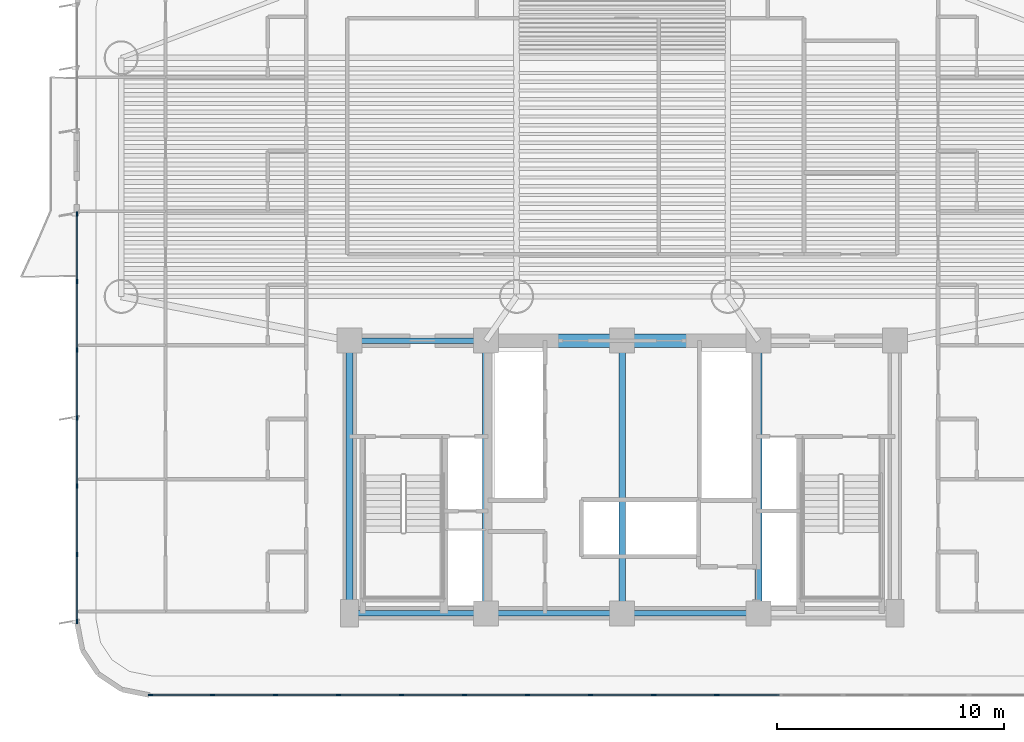
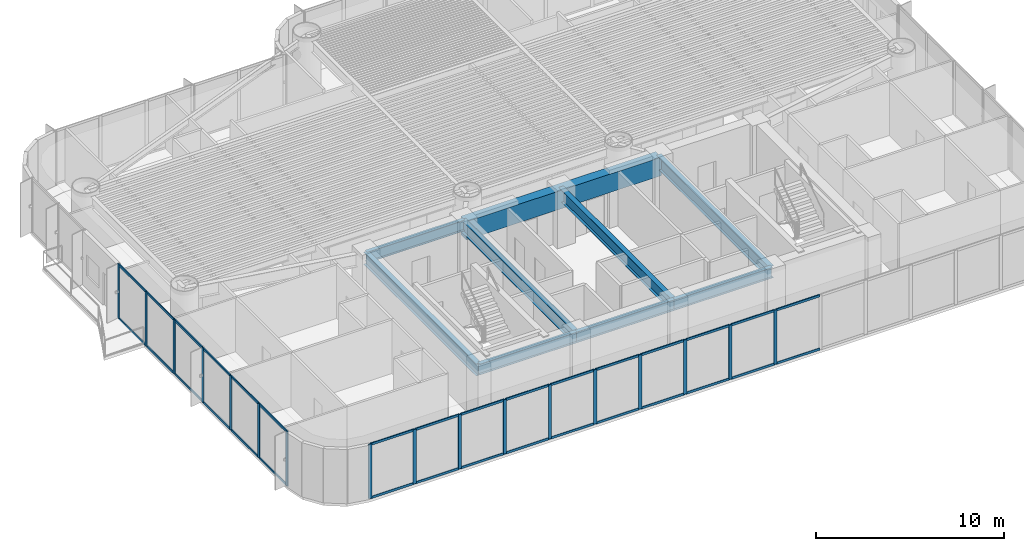
# One storey, part 2 of 18: 49 members, 9 beams, 2 elements without a shape of their own.
"""IFC4 building model written with IfcOpenShell, lengths in metres."""

from ifc_helpers import new_model, si_unit, direction, frame, origin, origin_2d, place, context, subcontext, project, spatial, rectangle, i_section, extrude, source, transform, mapped, material, layer, layer_set, material_profile, profile_set, type_object, element, aggregate, save


model = new_model("IFC4")

# Units and contexts
model_context = context("Model", 3, precision=1e-05, world=origin(), true_north=direction((0.0, 1.0)))
body_context = subcontext(model_context, "Body", "Model", "MODEL_VIEW")
ifc_project = project(units=[si_unit("LENGTHUNIT", "METRE"), si_unit("AREAUNIT", "SQUARE_METRE"), si_unit("VOLUMEUNIT", "CUBIC_METRE"), si_unit("PLANEANGLEUNIT", "RADIAN"), si_unit("MASSUNIT", "GRAM", prefix="KILO")], contexts=[model_context])

# Site, building, storey
site_placement = place(None, origin())
site = spatial("IfcSite", under=ifc_project, at=site_placement, CompositionType="ELEMENT")
building_placement = place(site_placement, origin())
building = spatial("IfcBuilding", under=site, at=building_placement, Name="Brelvock Crest Care Tower", CompositionType="ELEMENT")
storey_placement = place(building_placement, frame((0.0, 0.0, 38.340087890625)))
storey = spatial("IfcBuildingStorey", under=building, at=storey_placement, Name="L09", CompositionType="ELEMENT", Elevation=38.340087890625)

# Beams
ifc_material_1 = material(Name="Concrete S80 (80 MPa)", Category="concrete")
ifc_material_profile_1 = material_profile(ifc_material_1, rectangle(XDim=0.60009765625, YDim=1.199951171875, at=origin_2d()), Name="RC600x1200")
ifc_profile_set_1 = profile_set([ifc_material_profile_1], Name="Concrete S80 (80 MPa)")
beam_type_1 = type_object("IfcBeamType", Name="BM-LN1", PredefinedType="LINTEL", material=ifc_profile_set_1)
shared_shape_1 = source(origin(), body_context, "Body", "SweptSolid", [
    extrude(rectangle(XDim=0.60009765625, YDim=1.199951171875, at=origin_2d()), origin(), (0.0, 0.0, 1.0), 12.0),
])
beam_placement = place(storey_placement, frame((30.0, 18.0, 2.929931640625), z_axis=(1.0, 0.0, 0.0), x_axis=(0.0, 1.0, 0.0)))
element("IfcBeam", 1, at=beam_placement, inside=storey, type_object=beam_type_1, Name="L09 Core Coupling Lintel Beam", PredefinedType="LINTEL", context=body_context, shape_type="MappedRepresentation", body=[
    mapped(shared_shape_1, transform((0.0, 0.0, 0.0), x_axis=(1.0, 0.0, 0.0), y_axis=(0.0, 1.0, 0.0), z_axis=(0.0, 0.0, 1.0), scale=1.0)),
])
ifc_material_2 = material(Name="Steel Grade 350", Category="steel")
ifc_material_profile_2 = material_profile(ifc_material_2, i_section(OverallWidth=0.25, OverallDepth=0.699951171875, WebThickness=0.011962890625, FlangeThickness=0.02001953125, at=origin_2d()), Name="700WB150")
ifc_profile_set_2 = profile_set([ifc_material_profile_2], Name="Steel Grade 350")
beam_type_2 = type_object("IfcBeamType", Name="BM-G4", PredefinedType="BEAM", material=ifc_profile_set_2)
shared_shape_2 = source(origin(), body_context, "Body", "SweptSolid", [
    extrude(i_section(OverallWidth=0.25, OverallDepth=0.699951171875, WebThickness=0.011962890625, FlangeThickness=0.02001953125, at=origin_2d()), origin(), (0.0, 0.0, 1.0), 6.0),
])
for number, where, z_axis, x_axis, name in (
    (2, (24.0, 6.0, 3.179931640625), (1.0, 0.0, 0.0), (0.0, 1.0, 0.0), "BM-CORES-L09-1"),
    (3, (24.0, 18.0, 3.179931640625), (1.0, 0.0, 0.0), (0.0, 1.0, 0.0), "BM-COREN-L09-1"),
    (4, (30.0, 6.0, 3.179931640625), (1.0, 0.0, 0.0), (0.0, 1.0, 0.0), "BM-CORES-L09-2"),
    (5, (36.0, 6.0, 3.179931640625), (1.0, 0.0, 0.0), (0.0, 1.0, 0.0), "BM-CORES-L09-3"),
):
    element("IfcBeam", number, at=place(storey_placement, frame(where, z_axis=z_axis, x_axis=x_axis)), inside=storey, type_object=beam_type_2, Name=name, PredefinedType="BEAM", context=body_context, shape_type="MappedRepresentation", body=[
        mapped(shared_shape_2, transform((0.0, 0.0, 0.0), x_axis=(1.0, 0.0, 0.0), y_axis=(0.0, 1.0, 0.0), z_axis=(0.0, 0.0, 1.0), scale=1.0)),
    ])
ifc_material_profile_3 = material_profile(ifc_material_2, i_section(OverallWidth=0.300048828125, OverallDepth=0.800048828125, WebThickness=0.013916015625, FlangeThickness=0.02197265625, at=origin_2d()), Name="800WB192")
ifc_profile_set_3 = profile_set([ifc_material_profile_3], Name="Steel Grade 350")
beam_type_3 = type_object("IfcBeamType", Name="BM-G5", PredefinedType="BEAM", material=ifc_profile_set_3)
shared_shape_3 = source(origin(), body_context, "Body", "SweptSolid", [
    extrude(i_section(OverallWidth=0.300048828125, OverallDepth=0.800048828125, WebThickness=0.013916015625, FlangeThickness=0.02197265625, at=origin_2d()), origin(), (0.0, 0.0, 1.0), 12.0),
])
for number, where, z_axis, x_axis, name in (
    (6, (24.0, 6.0, 3.1298828125), (0.0, 1.0, 0.0), (-1.0, 0.0, 0.0), "BM-COREX-L09-1"),
    (7, (30.0, 6.0, 3.1298828125), (0.0, 1.0, 0.0), (-1.0, 0.0, 0.0), "BM-COREX-L09-2"),
    (8, (36.0, 6.0, 3.1298828125), (0.0, 1.0, 0.0), (-1.0, 0.0, 0.0), "BM-COREX-L09-3"),
    (9, (42.0, 6.0, 3.1298828125), (0.0, 1.0, 0.0), (-1.0, 0.0, 0.0), "BM-COREX-L09-4"),
):
    element("IfcBeam", number, at=place(storey_placement, frame(where, z_axis=z_axis, x_axis=x_axis)), inside=storey, type_object=beam_type_3, Name=name, PredefinedType="BEAM", context=body_context, shape_type="MappedRepresentation", body=[
        mapped(shared_shape_3, transform((0.0, 0.0, 0.0), x_axis=(1.0, 0.0, 0.0), y_axis=(0.0, 1.0, 0.0), z_axis=(0.0, 0.0, 1.0), scale=1.0)),
    ])

# Curtain wall, members
ifc_material_3 = material(Name="Dark Glass Double Glazed Low-E", Category="glass")
ifc_layer = layer(ifc_material_3, 0.195068359375, Name="CWS-2")
ifc_layer_set = layer_set([ifc_layer], Name="Dark Glass Double Glazed Low-E")
curtain_wall_type = type_object("IfcCurtainWallType", Name="CWS-2", PredefinedType="NOTDEFINED", material=ifc_layer_set)
curtain_wall_1_placement = place(storey_placement, origin())
curtain_wall_1 = element("IfcCurtainWall", 10, at=curtain_wall_1_placement, inside=storey, type_object=curtain_wall_type, Name="L09 Curtain Wall E08", PredefinedType="NOTDEFINED")
ifc_material_4 = material(Name="Aluminium 6063-T6", Category="aluminium")
ifc_material_profile_4 = material_profile(ifc_material_4, rectangle(XDim=0.06494140625, YDim=0.199951171875, at=origin_2d()), Name="ALU65x200")
ifc_profile_set_4 = profile_set([ifc_material_profile_4], Name="Aluminium 6063-T6")
member_type_1 = type_object("IfcMemberType", Name="CWM-1", PredefinedType="MULLION", material=ifc_profile_set_4)
shared_shape_4 = source(origin(), body_context, "Body", "SweptSolid", [
    extrude(rectangle(XDim=0.06494140625, YDim=0.199951171875, at=origin_2d()), origin(), (0.0, 0.0, 1.0), 3.530029296875),
])
member_1_placement = place(storey_placement, frame((40.159912109375, 2.39990234375, 0.0), z_axis=(0.0, 0.0, 1.0), x_axis=(0.0, -1.0, 0.0)))
member_1 = element("IfcMember", 11, at=member_1_placement, type_object=member_type_1, Name="CW-2 mullion 7", PredefinedType="MULLION", context=body_context, shape_type="MappedRepresentation", body=[
    mapped(shared_shape_4, transform((0.0, 0.0, 0.0), x_axis=(1.0, 0.0, 0.0), y_axis=(0.0, 1.0, 0.0), z_axis=(0.0, 0.0, 1.0), scale=1.0)),
])
member_2_placement = place(storey_placement, frame((37.38671875, 2.39990234375, 0.0), z_axis=(0.0, 0.0, 1.0), x_axis=(0.0, -1.0, 0.0)))
member_2 = element("IfcMember", 12, at=member_2_placement, type_object=member_type_1, Name="CW-2 mullion 8", PredefinedType="MULLION", context=body_context, shape_type="MappedRepresentation", body=[
    mapped(shared_shape_4, transform((0.0, 0.0, 0.0), x_axis=(1.0, 0.0, 0.0), y_axis=(0.0, 1.0, 0.0), z_axis=(0.0, 0.0, 1.0), scale=1.0)),
])
member_3_placement = place(storey_placement, frame((34.61328125, 2.39990234375, 0.0), z_axis=(0.0, 0.0, 1.0), x_axis=(0.0, -1.0, 0.0)))
member_3 = element("IfcMember", 13, at=member_3_placement, type_object=member_type_1, Name="CW-2 mullion 9", PredefinedType="MULLION", context=body_context, shape_type="MappedRepresentation", body=[
    mapped(shared_shape_4, transform((0.0, 0.0, 0.0), x_axis=(1.0, 0.0, 0.0), y_axis=(0.0, 1.0, 0.0), z_axis=(0.0, 0.0, 1.0), scale=1.0)),
])
member_4_placement = place(storey_placement, frame((31.840087890625, 2.39990234375, 0.0), z_axis=(0.0, 0.0, 1.0), x_axis=(0.0, -1.0, 0.0)))
member_4 = element("IfcMember", 14, at=member_4_placement, type_object=member_type_1, Name="CW-2 mullion 10", PredefinedType="MULLION", context=body_context, shape_type="MappedRepresentation", body=[
    mapped(shared_shape_4, transform((0.0, 0.0, 0.0), x_axis=(1.0, 0.0, 0.0), y_axis=(0.0, 1.0, 0.0), z_axis=(0.0, 0.0, 1.0), scale=1.0)),
])
member_5_placement = place(storey_placement, frame((29.066650390625, 2.39990234375, 0.0), z_axis=(0.0, 0.0, 1.0), x_axis=(0.0, -1.0, 0.0)))
member_5 = element("IfcMember", 15, at=member_5_placement, type_object=member_type_1, Name="CW-2 mullion 11", PredefinedType="MULLION", context=body_context, shape_type="MappedRepresentation", body=[
    mapped(shared_shape_4, transform((0.0, 0.0, 0.0), x_axis=(1.0, 0.0, 0.0), y_axis=(0.0, 1.0, 0.0), z_axis=(0.0, 0.0, 1.0), scale=1.0)),
])
member_6_placement = place(storey_placement, frame((26.293212890625, 2.39990234375, 0.0), z_axis=(0.0, 0.0, 1.0), x_axis=(0.0, -1.0, 0.0)))
member_6 = element("IfcMember", 16, at=member_6_placement, type_object=member_type_1, Name="CW-2 mullion 12", PredefinedType="MULLION", context=body_context, shape_type="MappedRepresentation", body=[
    mapped(shared_shape_4, transform((0.0, 0.0, 0.0), x_axis=(1.0, 0.0, 0.0), y_axis=(0.0, 1.0, 0.0), z_axis=(0.0, 0.0, 1.0), scale=1.0)),
])
member_7_placement = place(storey_placement, frame((23.52001953125, 2.39990234375, 0.0), z_axis=(0.0, 0.0, 1.0), x_axis=(0.0, -1.0, 0.0)))
member_7 = element("IfcMember", 17, at=member_7_placement, type_object=member_type_1, Name="CW-2 mullion 13", PredefinedType="MULLION", context=body_context, shape_type="MappedRepresentation", body=[
    mapped(shared_shape_4, transform((0.0, 0.0, 0.0), x_axis=(1.0, 0.0, 0.0), y_axis=(0.0, 1.0, 0.0), z_axis=(0.0, 0.0, 1.0), scale=1.0)),
])
member_8_placement = place(storey_placement, frame((20.74658203125, 2.39990234375, 0.0), z_axis=(0.0, 0.0, 1.0), x_axis=(0.0, -1.0, 0.0)))
member_8 = element("IfcMember", 18, at=member_8_placement, type_object=member_type_1, Name="CW-2 mullion 14", PredefinedType="MULLION", context=body_context, shape_type="MappedRepresentation", body=[
    mapped(shared_shape_4, transform((0.0, 0.0, 0.0), x_axis=(1.0, 0.0, 0.0), y_axis=(0.0, 1.0, 0.0), z_axis=(0.0, 0.0, 1.0), scale=1.0)),
])
member_9_placement = place(storey_placement, frame((17.973388671875, 2.39990234375, 0.0), z_axis=(0.0, 0.0, 1.0), x_axis=(0.0, -1.0, 0.0)))
member_9 = element("IfcMember", 19, at=member_9_placement, type_object=member_type_1, Name="CW-2 mullion 15", PredefinedType="MULLION", context=body_context, shape_type="MappedRepresentation", body=[
    mapped(shared_shape_4, transform((0.0, 0.0, 0.0), x_axis=(1.0, 0.0, 0.0), y_axis=(0.0, 1.0, 0.0), z_axis=(0.0, 0.0, 1.0), scale=1.0)),
])
member_10_placement = place(storey_placement, frame((15.232421875, 2.39990234375, 0.0), z_axis=(0.0, 0.0, 1.0), x_axis=(0.0, -1.0, 0.0)))
member_10 = element("IfcMember", 20, at=member_10_placement, type_object=member_type_1, Name="CW-2 mullion 16", PredefinedType="MULLION", context=body_context, shape_type="MappedRepresentation", body=[
    mapped(shared_shape_4, transform((0.0, 0.0, 0.0), x_axis=(1.0, 0.0, 0.0), y_axis=(0.0, 1.0, 0.0), z_axis=(0.0, 0.0, 1.0), scale=1.0)),
])

curtain_wall_2_placement = place(storey_placement, origin())
curtain_wall_2 = element("IfcCurtainWall", 21, at=curtain_wall_2_placement, inside=storey, type_object=curtain_wall_type, Name="L09 Curtain Wall E13A", PredefinedType="NOTDEFINED")
member_11_placement = place(storey_placement, frame((12.0, 5.632568359375, 0.0), z_axis=(0.0, 0.0, 1.0), x_axis=(-1.0, 0.0, 0.0)))
member_11 = element("IfcMember", 22, at=member_11_placement, type_object=member_type_1, Name="CW-2 mullion 1", PredefinedType="MULLION", context=body_context, shape_type="MappedRepresentation", body=[
    mapped(shared_shape_4, transform((0.0, 0.0, 0.0), x_axis=(1.0, 0.0, 0.0), y_axis=(0.0, 1.0, 0.0), z_axis=(0.0, 0.0, 1.0), scale=1.0)),
])
member_12_placement = place(storey_placement, frame((12.0, 8.60009765625, 0.0), z_axis=(0.0, 0.0, 1.0), x_axis=(-1.0, 0.0, 0.0)))
member_12 = element("IfcMember", 23, at=member_12_placement, type_object=member_type_1, Name="CW-2 mullion 2", PredefinedType="MULLION", context=body_context, shape_type="MappedRepresentation", body=[
    mapped(shared_shape_4, transform((0.0, 0.0, 0.0), x_axis=(1.0, 0.0, 0.0), y_axis=(0.0, 1.0, 0.0), z_axis=(0.0, 0.0, 1.0), scale=1.0)),
])
member_13_placement = place(storey_placement, frame((12.0, 11.60009765625, 0.0), z_axis=(0.0, 0.0, 1.0), x_axis=(-1.0, 0.0, 0.0)))
member_13 = element("IfcMember", 24, at=member_13_placement, type_object=member_type_1, Name="CW-2 mullion 3", PredefinedType="MULLION", context=body_context, shape_type="MappedRepresentation", body=[
    mapped(shared_shape_4, transform((0.0, 0.0, 0.0), x_axis=(1.0, 0.0, 0.0), y_axis=(0.0, 1.0, 0.0), z_axis=(0.0, 0.0, 1.0), scale=1.0)),
])
member_14_placement = place(storey_placement, frame((12.0, 14.60009765625, 0.0), z_axis=(0.0, 0.0, 1.0), x_axis=(-1.0, 0.0, 0.0)))
member_14 = element("IfcMember", 25, at=member_14_placement, type_object=member_type_1, Name="CW-2 mullion 4", PredefinedType="MULLION", context=body_context, shape_type="MappedRepresentation", body=[
    mapped(shared_shape_4, transform((0.0, 0.0, 0.0), x_axis=(1.0, 0.0, 0.0), y_axis=(0.0, 1.0, 0.0), z_axis=(0.0, 0.0, 1.0), scale=1.0)),
])
member_15_placement = place(storey_placement, frame((12.0, 17.60009765625, 0.0), z_axis=(0.0, 0.0, 1.0), x_axis=(-1.0, 0.0, 0.0)))
member_15 = element("IfcMember", 26, at=member_15_placement, type_object=member_type_1, Name="CW-2 mullion 5", PredefinedType="MULLION", context=body_context, shape_type="MappedRepresentation", body=[
    mapped(shared_shape_4, transform((0.0, 0.0, 0.0), x_axis=(1.0, 0.0, 0.0), y_axis=(0.0, 1.0, 0.0), z_axis=(0.0, 0.0, 1.0), scale=1.0)),
])
member_16_placement = place(storey_placement, frame((12.0, 20.60009765625, 0.0), z_axis=(0.0, 0.0, 1.0), x_axis=(-1.0, 0.0, 0.0)))
member_16 = element("IfcMember", 27, at=member_16_placement, type_object=member_type_1, Name="CW-2 mullion 6", PredefinedType="MULLION", context=body_context, shape_type="MappedRepresentation", body=[
    mapped(shared_shape_4, transform((0.0, 0.0, 0.0), x_axis=(1.0, 0.0, 0.0), y_axis=(0.0, 1.0, 0.0), z_axis=(0.0, 0.0, 1.0), scale=1.0)),
])
member_17_placement = place(storey_placement, frame((12.0, 23.5673828125, 0.0), z_axis=(0.0, 0.0, 1.0), x_axis=(-1.0, 0.0, 0.0)))
member_17 = element("IfcMember", 28, at=member_17_placement, type_object=member_type_1, Name="CW-2 mullion 7", PredefinedType="MULLION", context=body_context, shape_type="MappedRepresentation", body=[
    mapped(shared_shape_4, transform((0.0, 0.0, 0.0), x_axis=(1.0, 0.0, 0.0), y_axis=(0.0, 1.0, 0.0), z_axis=(0.0, 0.0, 1.0), scale=1.0)),
])

# Member
ifc_material_profile_5 = material_profile(ifc_material_4, rectangle(XDim=0.06494140625, YDim=0.14990234375, at=origin_2d()), Name="ALU65x150")
ifc_profile_set_5 = profile_set([ifc_material_profile_5], Name="Aluminium 6063-T6")
member_type_2 = type_object("IfcMemberType", Name="CWT-1", PredefinedType="USERDEFINED", material=ifc_profile_set_5)
shared_shape_5 = source(origin(), body_context, "Body", "SweptSolid", [
    extrude(rectangle(XDim=0.06494140625, YDim=0.14990234375, at=origin_2d()), origin(), (0.0, 0.0, 1.0), 2.676025390625),
])
member_18_placement = place(storey_placement, frame((17.94091796875, 2.39990234375, 0.032470703125), z_axis=(-1.0, 0.0, 0.0), x_axis=(0.0, -1.0, 0.0)))
member_18 = element("IfcMember", 29, at=member_18_placement, type_object=member_type_2, Name="CW-2 transom 15.1", ObjectType="TRANSOM", PredefinedType="USERDEFINED", context=body_context, shape_type="MappedRepresentation", body=[
    mapped(shared_shape_5, transform((0.0, 0.0, 0.0), x_axis=(1.0, 0.0, 0.0), y_axis=(0.0, 1.0, 0.0), z_axis=(0.0, 0.0, 1.0), scale=1.0)),
])

member_19_placement = place(storey_placement, frame((17.94091796875, 2.39990234375, 3.497314453125), z_axis=(-1.0, 0.0, 0.0), x_axis=(0.0, -1.0, 0.0)))
member_19 = element("IfcMember", 30, at=member_19_placement, type_object=member_type_2, Name="CW-2 transom 15.2", ObjectType="TRANSOM", PredefinedType="USERDEFINED", context=body_context, shape_type="MappedRepresentation", body=[
    mapped(shared_shape_5, transform((0.0, 0.0, 0.0), x_axis=(1.0, 0.0, 0.0), y_axis=(0.0, 1.0, 0.0), z_axis=(0.0, 0.0, 1.0), scale=1.0)),
])

shared_shape_6 = source(origin(), body_context, "Body", "SweptSolid", [
    extrude(rectangle(XDim=0.06494140625, YDim=0.14990234375, at=origin_2d()), origin(), (0.0, 0.0, 1.0), 2.708251953125),
])
member_20_placement = place(storey_placement, frame((40.12744140625, 2.39990234375, 0.032470703125), z_axis=(-1.0, 0.0, 0.0), x_axis=(0.0, -1.0, 0.0)))
member_20 = element("IfcMember", 31, at=member_20_placement, type_object=member_type_2, Name="CW-2 transom 7.1", ObjectType="TRANSOM", PredefinedType="USERDEFINED", context=body_context, shape_type="MappedRepresentation", body=[
    mapped(shared_shape_6, transform((0.0, 0.0, 0.0), x_axis=(1.0, 0.0, 0.0), y_axis=(0.0, 1.0, 0.0), z_axis=(0.0, 0.0, 1.0), scale=1.0)),
])

member_21_placement = place(storey_placement, frame((40.12744140625, 2.39990234375, 3.497314453125), z_axis=(-1.0, 0.0, 0.0), x_axis=(0.0, -1.0, 0.0)))
member_21 = element("IfcMember", 32, at=member_21_placement, type_object=member_type_2, Name="CW-2 transom 7.2", ObjectType="TRANSOM", PredefinedType="USERDEFINED", context=body_context, shape_type="MappedRepresentation", body=[
    mapped(shared_shape_6, transform((0.0, 0.0, 0.0), x_axis=(1.0, 0.0, 0.0), y_axis=(0.0, 1.0, 0.0), z_axis=(0.0, 0.0, 1.0), scale=1.0)),
])

member_22_placement = place(storey_placement, frame((34.580810546875, 2.39990234375, 0.032470703125), z_axis=(-1.0, 0.0, 0.0), x_axis=(0.0, -1.0, 0.0)))
member_22 = element("IfcMember", 33, at=member_22_placement, type_object=member_type_2, Name="CW-2 transom 9.1", ObjectType="TRANSOM", PredefinedType="USERDEFINED", context=body_context, shape_type="MappedRepresentation", body=[
    mapped(shared_shape_6, transform((0.0, 0.0, 0.0), x_axis=(1.0, 0.0, 0.0), y_axis=(0.0, 1.0, 0.0), z_axis=(0.0, 0.0, 1.0), scale=1.0)),
])

member_23_placement = place(storey_placement, frame((34.580810546875, 2.39990234375, 3.497314453125), z_axis=(-1.0, 0.0, 0.0), x_axis=(0.0, -1.0, 0.0)))
member_23 = element("IfcMember", 34, at=member_23_placement, type_object=member_type_2, Name="CW-2 transom 9.2", ObjectType="TRANSOM", PredefinedType="USERDEFINED", context=body_context, shape_type="MappedRepresentation", body=[
    mapped(shared_shape_6, transform((0.0, 0.0, 0.0), x_axis=(1.0, 0.0, 0.0), y_axis=(0.0, 1.0, 0.0), z_axis=(0.0, 0.0, 1.0), scale=1.0)),
])

member_24_placement = place(storey_placement, frame((29.0341796875, 2.39990234375, 0.032470703125), z_axis=(-1.0, 0.0, 0.0), x_axis=(0.0, -1.0, 0.0)))
member_24 = element("IfcMember", 35, at=member_24_placement, type_object=member_type_2, Name="CW-2 transom 11.1", ObjectType="TRANSOM", PredefinedType="USERDEFINED", context=body_context, shape_type="MappedRepresentation", body=[
    mapped(shared_shape_6, transform((0.0, 0.0, 0.0), x_axis=(1.0, 0.0, 0.0), y_axis=(0.0, 1.0, 0.0), z_axis=(0.0, 0.0, 1.0), scale=1.0)),
])

member_25_placement = place(storey_placement, frame((29.0341796875, 2.39990234375, 3.497314453125), z_axis=(-1.0, 0.0, 0.0), x_axis=(0.0, -1.0, 0.0)))
member_25 = element("IfcMember", 36, at=member_25_placement, type_object=member_type_2, Name="CW-2 transom 11.2", ObjectType="TRANSOM", PredefinedType="USERDEFINED", context=body_context, shape_type="MappedRepresentation", body=[
    mapped(shared_shape_6, transform((0.0, 0.0, 0.0), x_axis=(1.0, 0.0, 0.0), y_axis=(0.0, 1.0, 0.0), z_axis=(0.0, 0.0, 1.0), scale=1.0)),
])

member_26_placement = place(storey_placement, frame((26.2607421875, 2.39990234375, 0.032470703125), z_axis=(-1.0, 0.0, 0.0), x_axis=(0.0, -1.0, 0.0)))
member_26 = element("IfcMember", 37, at=member_26_placement, type_object=member_type_2, Name="CW-2 transom 12.1", ObjectType="TRANSOM", PredefinedType="USERDEFINED", context=body_context, shape_type="MappedRepresentation", body=[
    mapped(shared_shape_6, transform((0.0, 0.0, 0.0), x_axis=(1.0, 0.0, 0.0), y_axis=(0.0, 1.0, 0.0), z_axis=(0.0, 0.0, 1.0), scale=1.0)),
])

member_27_placement = place(storey_placement, frame((26.2607421875, 2.39990234375, 3.497314453125), z_axis=(-1.0, 0.0, 0.0), x_axis=(0.0, -1.0, 0.0)))
member_27 = element("IfcMember", 38, at=member_27_placement, type_object=member_type_2, Name="CW-2 transom 12.2", ObjectType="TRANSOM", PredefinedType="USERDEFINED", context=body_context, shape_type="MappedRepresentation", body=[
    mapped(shared_shape_6, transform((0.0, 0.0, 0.0), x_axis=(1.0, 0.0, 0.0), y_axis=(0.0, 1.0, 0.0), z_axis=(0.0, 0.0, 1.0), scale=1.0)),
])

member_28_placement = place(storey_placement, frame((20.714111328125, 2.39990234375, 0.032470703125), z_axis=(-1.0, 0.0, 0.0), x_axis=(0.0, -1.0, 0.0)))
member_28 = element("IfcMember", 39, at=member_28_placement, type_object=member_type_2, Name="CW-2 transom 14.1", ObjectType="TRANSOM", PredefinedType="USERDEFINED", context=body_context, shape_type="MappedRepresentation", body=[
    mapped(shared_shape_6, transform((0.0, 0.0, 0.0), x_axis=(1.0, 0.0, 0.0), y_axis=(0.0, 1.0, 0.0), z_axis=(0.0, 0.0, 1.0), scale=1.0)),
])

member_29_placement = place(storey_placement, frame((20.714111328125, 2.39990234375, 3.497314453125), z_axis=(-1.0, 0.0, 0.0), x_axis=(0.0, -1.0, 0.0)))
member_29 = element("IfcMember", 40, at=member_29_placement, type_object=member_type_2, Name="CW-2 transom 14.2", ObjectType="TRANSOM", PredefinedType="USERDEFINED", context=body_context, shape_type="MappedRepresentation", body=[
    mapped(shared_shape_6, transform((0.0, 0.0, 0.0), x_axis=(1.0, 0.0, 0.0), y_axis=(0.0, 1.0, 0.0), z_axis=(0.0, 0.0, 1.0), scale=1.0)),
])

shared_shape_7 = source(origin(), body_context, "Body", "SweptSolid", [
    extrude(rectangle(XDim=0.06494140625, YDim=0.14990234375, at=origin_2d()), origin(), (0.0, 0.0, 1.0), 2.70849609375),
])
member_30_placement = place(storey_placement, frame((42.90087890625, 2.39990234375, 0.032470703125), z_axis=(-1.0, 0.0, 0.0), x_axis=(0.0, -1.0, 0.0)))
member_30 = element("IfcMember", 41, at=member_30_placement, type_object=member_type_2, Name="CW-2 transom 6.1", ObjectType="TRANSOM", PredefinedType="USERDEFINED", context=body_context, shape_type="MappedRepresentation", body=[
    mapped(shared_shape_7, transform((0.0, 0.0, 0.0), x_axis=(1.0, 0.0, 0.0), y_axis=(0.0, 1.0, 0.0), z_axis=(0.0, 0.0, 1.0), scale=1.0)),
])

member_31_placement = place(storey_placement, frame((42.90087890625, 2.39990234375, 3.497314453125), z_axis=(-1.0, 0.0, 0.0), x_axis=(0.0, -1.0, 0.0)))
member_31 = element("IfcMember", 42, at=member_31_placement, type_object=member_type_2, Name="CW-2 transom 6.2", ObjectType="TRANSOM", PredefinedType="USERDEFINED", context=body_context, shape_type="MappedRepresentation", body=[
    mapped(shared_shape_7, transform((0.0, 0.0, 0.0), x_axis=(1.0, 0.0, 0.0), y_axis=(0.0, 1.0, 0.0), z_axis=(0.0, 0.0, 1.0), scale=1.0)),
])

member_32_placement = place(storey_placement, frame((37.354248046875, 2.39990234375, 0.032470703125), z_axis=(-1.0, 0.0, 0.0), x_axis=(0.0, -1.0, 0.0)))
member_32 = element("IfcMember", 43, at=member_32_placement, type_object=member_type_2, Name="CW-2 transom 8.1", ObjectType="TRANSOM", PredefinedType="USERDEFINED", context=body_context, shape_type="MappedRepresentation", body=[
    mapped(shared_shape_7, transform((0.0, 0.0, 0.0), x_axis=(1.0, 0.0, 0.0), y_axis=(0.0, 1.0, 0.0), z_axis=(0.0, 0.0, 1.0), scale=1.0)),
])

member_33_placement = place(storey_placement, frame((37.354248046875, 2.39990234375, 3.497314453125), z_axis=(-1.0, 0.0, 0.0), x_axis=(0.0, -1.0, 0.0)))
member_33 = element("IfcMember", 44, at=member_33_placement, type_object=member_type_2, Name="CW-2 transom 8.2", ObjectType="TRANSOM", PredefinedType="USERDEFINED", context=body_context, shape_type="MappedRepresentation", body=[
    mapped(shared_shape_7, transform((0.0, 0.0, 0.0), x_axis=(1.0, 0.0, 0.0), y_axis=(0.0, 1.0, 0.0), z_axis=(0.0, 0.0, 1.0), scale=1.0)),
])

member_34_placement = place(storey_placement, frame((31.8076171875, 2.39990234375, 0.032470703125), z_axis=(-1.0, 0.0, 0.0), x_axis=(0.0, -1.0, 0.0)))
member_34 = element("IfcMember", 45, at=member_34_placement, type_object=member_type_2, Name="CW-2 transom 10.1", ObjectType="TRANSOM", PredefinedType="USERDEFINED", context=body_context, shape_type="MappedRepresentation", body=[
    mapped(shared_shape_7, transform((0.0, 0.0, 0.0), x_axis=(1.0, 0.0, 0.0), y_axis=(0.0, 1.0, 0.0), z_axis=(0.0, 0.0, 1.0), scale=1.0)),
])

member_35_placement = place(storey_placement, frame((31.8076171875, 2.39990234375, 3.497314453125), z_axis=(-1.0, 0.0, 0.0), x_axis=(0.0, -1.0, 0.0)))
member_35 = element("IfcMember", 46, at=member_35_placement, type_object=member_type_2, Name="CW-2 transom 10.2", ObjectType="TRANSOM", PredefinedType="USERDEFINED", context=body_context, shape_type="MappedRepresentation", body=[
    mapped(shared_shape_7, transform((0.0, 0.0, 0.0), x_axis=(1.0, 0.0, 0.0), y_axis=(0.0, 1.0, 0.0), z_axis=(0.0, 0.0, 1.0), scale=1.0)),
])

member_36_placement = place(storey_placement, frame((23.487548828125, 2.39990234375, 0.032470703125), z_axis=(-1.0, 0.0, 0.0), x_axis=(0.0, -1.0, 0.0)))
member_36 = element("IfcMember", 47, at=member_36_placement, type_object=member_type_2, Name="CW-2 transom 13.1", ObjectType="TRANSOM", PredefinedType="USERDEFINED", context=body_context, shape_type="MappedRepresentation", body=[
    mapped(shared_shape_7, transform((0.0, 0.0, 0.0), x_axis=(1.0, 0.0, 0.0), y_axis=(0.0, 1.0, 0.0), z_axis=(0.0, 0.0, 1.0), scale=1.0)),
])

member_37_placement = place(storey_placement, frame((23.487548828125, 2.39990234375, 3.497314453125), z_axis=(-1.0, 0.0, 0.0), x_axis=(0.0, -1.0, 0.0)))
member_37 = element("IfcMember", 48, at=member_37_placement, type_object=member_type_2, Name="CW-2 transom 13.2", ObjectType="TRANSOM", PredefinedType="USERDEFINED", context=body_context, shape_type="MappedRepresentation", body=[
    mapped(shared_shape_7, transform((0.0, 0.0, 0.0), x_axis=(1.0, 0.0, 0.0), y_axis=(0.0, 1.0, 0.0), z_axis=(0.0, 0.0, 1.0), scale=1.0)),
])

aggregate(curtain_wall_1, [member_1, member_2, member_3, member_4, member_5, member_6, member_7, member_8, member_9, member_10, member_30, member_31, member_20, member_21, member_32, member_33, member_22, member_23, member_34, member_35, member_24, member_25, member_26, member_27, member_36, member_37, member_28, member_29, member_18, member_19])

shared_shape_8 = source(origin(), body_context, "Body", "SweptSolid", [
    extrude(rectangle(XDim=0.06494140625, YDim=0.14990234375, at=origin_2d()), origin(), (0.0, 0.0, 1.0), 2.90234375),
])
member_38_placement = place(storey_placement, frame((12.0, 5.6650390625, 0.032470703125), z_axis=(0.0, 1.0, 0.0), x_axis=(-1.0, 0.0, 0.0)))
member_38 = element("IfcMember", 49, at=member_38_placement, type_object=member_type_2, Name="CW-2 transom 1.1", ObjectType="TRANSOM", PredefinedType="USERDEFINED", context=body_context, shape_type="MappedRepresentation", body=[
    mapped(shared_shape_8, transform((0.0, 0.0, 0.0), x_axis=(1.0, 0.0, 0.0), y_axis=(0.0, 1.0, 0.0), z_axis=(0.0, 0.0, 1.0), scale=1.0)),
])

member_39_placement = place(storey_placement, frame((12.0, 5.6650390625, 3.497314453125), z_axis=(0.0, 1.0, 0.0), x_axis=(-1.0, 0.0, 0.0)))
member_39 = element("IfcMember", 50, at=member_39_placement, type_object=member_type_2, Name="CW-2 transom 1.2", ObjectType="TRANSOM", PredefinedType="USERDEFINED", context=body_context, shape_type="MappedRepresentation", body=[
    mapped(shared_shape_8, transform((0.0, 0.0, 0.0), x_axis=(1.0, 0.0, 0.0), y_axis=(0.0, 1.0, 0.0), z_axis=(0.0, 0.0, 1.0), scale=1.0)),
])

member_40_placement = place(storey_placement, frame((12.0, 20.632568359375, 0.032470703125), z_axis=(0.0, 1.0, 0.0), x_axis=(-1.0, 0.0, 0.0)))
member_40 = element("IfcMember", 51, at=member_40_placement, type_object=member_type_2, Name="CW-2 transom 6.1", ObjectType="TRANSOM", PredefinedType="USERDEFINED", context=body_context, shape_type="MappedRepresentation", body=[
    mapped(shared_shape_8, transform((0.0, 0.0, 0.0), x_axis=(1.0, 0.0, 0.0), y_axis=(0.0, 1.0, 0.0), z_axis=(0.0, 0.0, 1.0), scale=1.0)),
])

member_41_placement = place(storey_placement, frame((12.0, 20.632568359375, 3.497314453125), z_axis=(0.0, 1.0, 0.0), x_axis=(-1.0, 0.0, 0.0)))
member_41 = element("IfcMember", 52, at=member_41_placement, type_object=member_type_2, Name="CW-2 transom 6.2", ObjectType="TRANSOM", PredefinedType="USERDEFINED", context=body_context, shape_type="MappedRepresentation", body=[
    mapped(shared_shape_8, transform((0.0, 0.0, 0.0), x_axis=(1.0, 0.0, 0.0), y_axis=(0.0, 1.0, 0.0), z_axis=(0.0, 0.0, 1.0), scale=1.0)),
])

shared_shape_9 = source(origin(), body_context, "Body", "SweptSolid", [
    extrude(rectangle(XDim=0.06494140625, YDim=0.14990234375, at=origin_2d()), origin(), (0.0, 0.0, 1.0), 2.934814453125),
])
member_42_placement = place(storey_placement, frame((12.0, 8.632568359375, 0.032470703125), z_axis=(0.0, 1.0, 0.0), x_axis=(-1.0, 0.0, 0.0)))
member_42 = element("IfcMember", 53, at=member_42_placement, type_object=member_type_2, Name="CW-2 transom 2.1", ObjectType="TRANSOM", PredefinedType="USERDEFINED", context=body_context, shape_type="MappedRepresentation", body=[
    mapped(shared_shape_9, transform((0.0, 0.0, 0.0), x_axis=(1.0, 0.0, 0.0), y_axis=(0.0, 1.0, 0.0), z_axis=(0.0, 0.0, 1.0), scale=1.0)),
])

member_43_placement = place(storey_placement, frame((12.0, 8.632568359375, 3.497314453125), z_axis=(0.0, 1.0, 0.0), x_axis=(-1.0, 0.0, 0.0)))
member_43 = element("IfcMember", 54, at=member_43_placement, type_object=member_type_2, Name="CW-2 transom 2.2", ObjectType="TRANSOM", PredefinedType="USERDEFINED", context=body_context, shape_type="MappedRepresentation", body=[
    mapped(shared_shape_9, transform((0.0, 0.0, 0.0), x_axis=(1.0, 0.0, 0.0), y_axis=(0.0, 1.0, 0.0), z_axis=(0.0, 0.0, 1.0), scale=1.0)),
])

member_44_placement = place(storey_placement, frame((12.0, 11.632568359375, 0.032470703125), z_axis=(0.0, 1.0, 0.0), x_axis=(-1.0, 0.0, 0.0)))
member_44 = element("IfcMember", 55, at=member_44_placement, type_object=member_type_2, Name="CW-2 transom 3.1", ObjectType="TRANSOM", PredefinedType="USERDEFINED", context=body_context, shape_type="MappedRepresentation", body=[
    mapped(shared_shape_9, transform((0.0, 0.0, 0.0), x_axis=(1.0, 0.0, 0.0), y_axis=(0.0, 1.0, 0.0), z_axis=(0.0, 0.0, 1.0), scale=1.0)),
])

member_45_placement = place(storey_placement, frame((12.0, 11.632568359375, 3.497314453125), z_axis=(0.0, 1.0, 0.0), x_axis=(-1.0, 0.0, 0.0)))
member_45 = element("IfcMember", 56, at=member_45_placement, type_object=member_type_2, Name="CW-2 transom 3.2", ObjectType="TRANSOM", PredefinedType="USERDEFINED", context=body_context, shape_type="MappedRepresentation", body=[
    mapped(shared_shape_9, transform((0.0, 0.0, 0.0), x_axis=(1.0, 0.0, 0.0), y_axis=(0.0, 1.0, 0.0), z_axis=(0.0, 0.0, 1.0), scale=1.0)),
])

member_46_placement = place(storey_placement, frame((12.0, 14.632568359375, 0.032470703125), z_axis=(0.0, 1.0, 0.0), x_axis=(-1.0, 0.0, 0.0)))
member_46 = element("IfcMember", 57, at=member_46_placement, type_object=member_type_2, Name="CW-2 transom 4.1", ObjectType="TRANSOM", PredefinedType="USERDEFINED", context=body_context, shape_type="MappedRepresentation", body=[
    mapped(shared_shape_9, transform((0.0, 0.0, 0.0), x_axis=(1.0, 0.0, 0.0), y_axis=(0.0, 1.0, 0.0), z_axis=(0.0, 0.0, 1.0), scale=1.0)),
])

member_47_placement = place(storey_placement, frame((12.0, 14.632568359375, 3.497314453125), z_axis=(0.0, 1.0, 0.0), x_axis=(-1.0, 0.0, 0.0)))
member_47 = element("IfcMember", 58, at=member_47_placement, type_object=member_type_2, Name="CW-2 transom 4.2", ObjectType="TRANSOM", PredefinedType="USERDEFINED", context=body_context, shape_type="MappedRepresentation", body=[
    mapped(shared_shape_9, transform((0.0, 0.0, 0.0), x_axis=(1.0, 0.0, 0.0), y_axis=(0.0, 1.0, 0.0), z_axis=(0.0, 0.0, 1.0), scale=1.0)),
])

member_48_placement = place(storey_placement, frame((12.0, 17.632568359375, 0.032470703125), z_axis=(0.0, 1.0, 0.0), x_axis=(-1.0, 0.0, 0.0)))
member_48 = element("IfcMember", 59, at=member_48_placement, type_object=member_type_2, Name="CW-2 transom 5.1", ObjectType="TRANSOM", PredefinedType="USERDEFINED", context=body_context, shape_type="MappedRepresentation", body=[
    mapped(shared_shape_9, transform((0.0, 0.0, 0.0), x_axis=(1.0, 0.0, 0.0), y_axis=(0.0, 1.0, 0.0), z_axis=(0.0, 0.0, 1.0), scale=1.0)),
])

member_49_placement = place(storey_placement, frame((12.0, 17.632568359375, 3.497314453125), z_axis=(0.0, 1.0, 0.0), x_axis=(-1.0, 0.0, 0.0)))
member_49 = element("IfcMember", 60, at=member_49_placement, type_object=member_type_2, Name="CW-2 transom 5.2", ObjectType="TRANSOM", PredefinedType="USERDEFINED", context=body_context, shape_type="MappedRepresentation", body=[
    mapped(shared_shape_9, transform((0.0, 0.0, 0.0), x_axis=(1.0, 0.0, 0.0), y_axis=(0.0, 1.0, 0.0), z_axis=(0.0, 0.0, 1.0), scale=1.0)),
])

aggregate(curtain_wall_2, [member_11, member_12, member_13, member_14, member_15, member_16, member_17, member_38, member_39, member_42, member_43, member_44, member_45, member_46, member_47, member_48, member_49, member_40, member_41])

save(model, "model.ifc")
